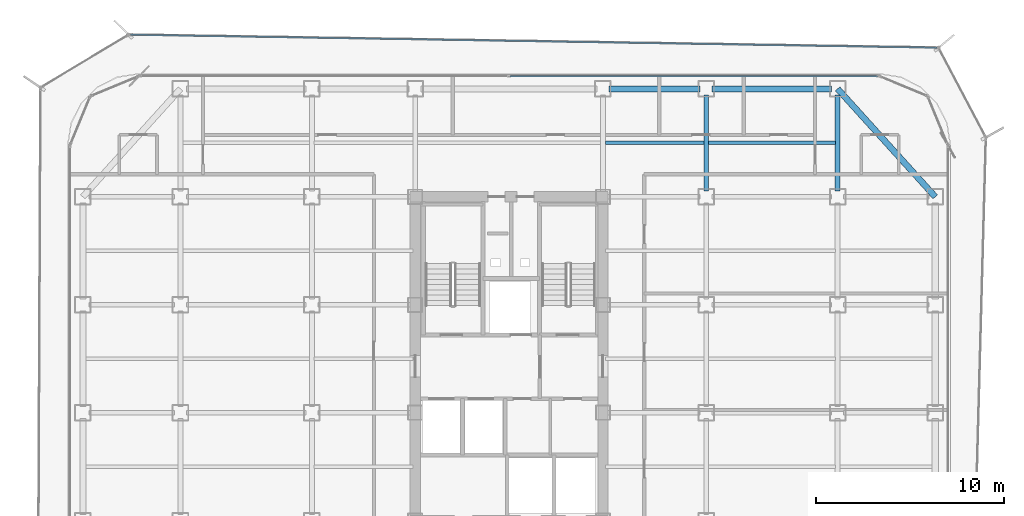
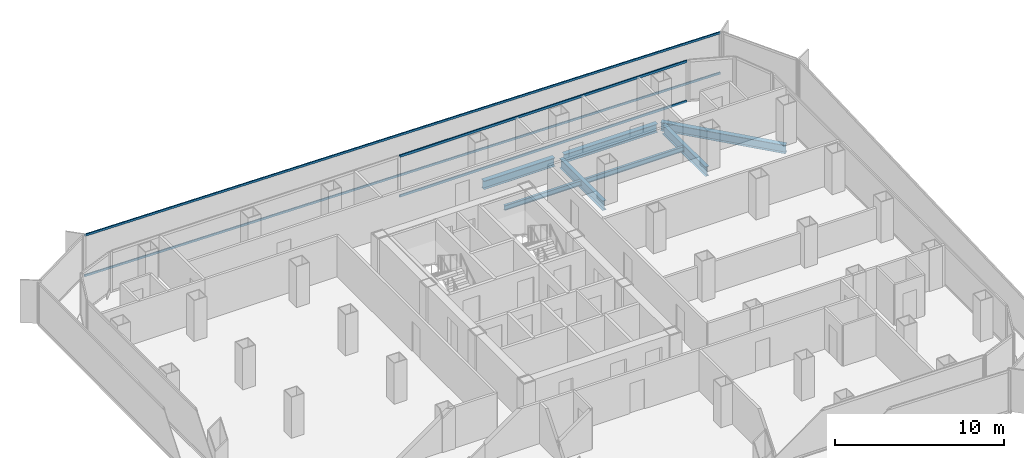
# One storey, part 13 of 21: 7 beams, 4 members, 2 elements without a shape of their own.
"""IFC4 building model written with IfcOpenShell, lengths in metres."""

from ifc_helpers import new_model, si_unit, direction, frame, origin, origin_2d, place, context, subcontext, project, spatial, hollow_rectangle, i_section, extrude, source, transform, mapped, material, layer, layer_set, material_profile, profile_set, type_object, element, aggregate, save


model = new_model("IFC4")

# Units and contexts
model_context = context("Model", 3, precision=1e-05, world=origin(), true_north=direction((0.0, 1.0)))
body_context = subcontext(model_context, "Body", "Model", "MODEL_VIEW")
ifc_project = project(units=[si_unit("LENGTHUNIT", "METRE"), si_unit("AREAUNIT", "SQUARE_METRE"), si_unit("VOLUMEUNIT", "CUBIC_METRE"), si_unit("PLANEANGLEUNIT", "RADIAN"), si_unit("MASSUNIT", "GRAM", prefix="KILO")], contexts=[model_context])

# Site, building, storey
site_placement = place(None, origin())
site = spatial("IfcSite", under=ifc_project, at=site_placement, CompositionType="ELEMENT")
building_placement = place(site_placement, origin())
building = spatial("IfcBuilding", under=site, at=building_placement, Name="Kolveth Station Tower", CompositionType="ELEMENT")
storey_placement = place(building_placement, frame((0.0, 0.0, 118.300048828125)))
storey = spatial("IfcBuildingStorey", under=building, at=storey_placement, Name="L32", CompositionType="ELEMENT", Elevation=118.300048828125)

# Beams
ifc_material_1 = material(Name="Steel S355", Category="steel")
ifc_material_profile_1 = material_profile(ifc_material_1, i_section(OverallWidth=0.323974609375, OverallDepth=0.611083984375, WebThickness=0.0126953125, FlangeThickness=0.01904296875, at=origin_2d()), Name="W610x155")
ifc_profile_set_1 = profile_set([ifc_material_profile_1], Name="Steel S355")
beam_type_1 = type_object("IfcBeamType", Name="Beam_SP2", PredefinedType="SPANDREL", material=ifc_profile_set_1)
shared_shape_1 = source(origin(), body_context, "Body", "SweptSolid", [
    extrude(i_section(OverallWidth=0.323974609375, OverallDepth=0.611083984375, WebThickness=0.0126953125, FlangeThickness=0.01904296875, at=origin_2d()), origin(), (0.0, 0.0, 1.0), 6.35986328125),
])
beam_1_placement = place(storey_placement, frame((34.320068359375, 34.5, -0.5556640625), z_axis=(1.0, 0.0, 0.0), x_axis=(0.0, 1.0, 0.0)))
element("IfcBeam", 1, at=beam_1_placement, inside=storey, type_object=beam_type_1, Name="L32 Perimeter Spandrel BM-L32-PN-5", PredefinedType="SPANDREL", context=body_context, shape_type="MappedRepresentation", body=[
    mapped(shared_shape_1, transform((0.0, 0.0, 0.0), x_axis=(1.0, 0.0, 0.0), y_axis=(0.0, 1.0, 0.0), z_axis=(0.0, 0.0, 1.0), scale=1.0)),
])
shared_shape_2 = source(origin(), body_context, "Body", "SweptSolid", [
    extrude(i_section(OverallWidth=0.323974609375, OverallDepth=0.611083984375, WebThickness=0.0126953125, FlangeThickness=0.01904296875, at=origin_2d()), origin(), (0.0, 0.0, 1.0), 4.85986328125),
])
beam_2_placement = place(storey_placement, frame((28.820068359375, 34.5, -0.5556640625), z_axis=(1.0, 0.0, 0.0), x_axis=(0.0, 1.0, 0.0)))
element("IfcBeam", 2, at=beam_2_placement, inside=storey, type_object=beam_type_1, Name="L32 Perimeter Spandrel BM-L32-PN-4", PredefinedType="SPANDREL", context=body_context, shape_type="MappedRepresentation", body=[
    mapped(shared_shape_2, transform((0.0, 0.0, 0.0), x_axis=(1.0, 0.0, 0.0), y_axis=(0.0, 1.0, 0.0), z_axis=(0.0, 0.0, 1.0), scale=1.0)),
])
shared_shape_3 = source(origin(), body_context, "Body", "SweptSolid", [
    extrude(i_section(OverallWidth=0.323974609375, OverallDepth=0.611083984375, WebThickness=0.0126953125, FlangeThickness=0.01904296875, at=origin_2d()), origin(), (0.0, 0.0, 1.0), 7.75244140625),
])
beam_3_placement = place(storey_placement, frame((46.199951171875, 28.75, -0.5556640625), z_axis=(-0.670740965555, 0.74169168603, 0.0), x_axis=(-0.74169168603, -0.670740965555, 0.0)))
element("IfcBeam", 3, at=beam_3_placement, inside=storey, type_object=beam_type_1, Name="L32 Corner Edge Girder BM-L32-CNR-NE", PredefinedType="SPANDREL", context=body_context, shape_type="MappedRepresentation", body=[
    mapped(shared_shape_3, transform((0.0, 0.0, 0.0), x_axis=(1.0, 0.0, 0.0), y_axis=(0.0, 1.0, 0.0), z_axis=(0.0, 0.0, 1.0), scale=1.0)),
])
ifc_material_profile_2 = material_profile(ifc_material_1, i_section(OverallWidth=0.25390625, OverallDepth=0.68798828125, WebThickness=0.01318359375, FlangeThickness=0.02099609375, at=origin_2d()), Name="W690x152")
ifc_profile_set_2 = profile_set([ifc_material_profile_2], Name="Steel S355")
beam_type_2 = type_object("IfcBeamType", Name="Beam_B4", PredefinedType="BEAM", material=ifc_profile_set_2)
shared_shape_4 = source(origin(), body_context, "Body", "SweptSolid", [
    extrude(i_section(OverallWidth=0.25390625, OverallDepth=0.68798828125, WebThickness=0.01318359375, FlangeThickness=0.02099609375, at=origin_2d()), origin(), (0.0, 0.0, 1.0), 5.10986328125),
])
for number, where, z_axis, x_axis, name in (
    (4, (34.0, 29.070068359375, -0.593994140625), (0.0, 1.0, 0.0), (-1.0, 0.0, 0.0), "L32 Primary Girder BM-L32-GX340-6"),
    (5, (41.0, 29.070068359375, -0.593994140625), (0.0, 1.0, 0.0), (-1.0, 0.0, 0.0), "L32 Primary Girder BM-L32-GX410-6"),
):
    element("IfcBeam", number, at=place(storey_placement, frame(where, z_axis=z_axis, x_axis=x_axis)), inside=storey, type_object=beam_type_2, Name=name, PredefinedType="BEAM", context=body_context, shape_type="MappedRepresentation", body=[
        mapped(shared_shape_4, transform((0.0, 0.0, 0.0), x_axis=(1.0, 0.0, 0.0), y_axis=(0.0, 1.0, 0.0), z_axis=(0.0, 0.0, 1.0), scale=1.0)),
    ])
ifc_material_profile_3 = material_profile(ifc_material_1, i_section(OverallWidth=0.1708984375, OverallDepth=0.35205078125, WebThickness=0.0068359375, FlangeThickness=0.009765625, at=origin_2d()), Name="W360x44")
ifc_profile_set_3 = profile_set([ifc_material_profile_3], Name="Steel S355")
beam_type_3 = type_object("IfcBeamType", Name="Beam_J2", PredefinedType="JOIST", material=ifc_profile_set_3)
shared_shape_5 = source(origin(), body_context, "Body", "SweptSolid", [
    extrude(i_section(OverallWidth=0.1708984375, OverallDepth=0.35205078125, WebThickness=0.0068359375, FlangeThickness=0.009765625, at=origin_2d()), origin(), (0.0, 0.0, 1.0), 6.75),
])
beam_4_placement = place(storey_placement, frame((34.125, 31.625, -0.426025390625), z_axis=(1.0, 0.0, 0.0), x_axis=(0.0, 1.0, 0.0)))
element("IfcBeam", 6, at=beam_4_placement, inside=storey, type_object=beam_type_3, Name="L32 Secondary Joist JST-L32-6-6", PredefinedType="JOIST", context=body_context, shape_type="MappedRepresentation", body=[
    mapped(shared_shape_5, transform((0.0, 0.0, 0.0), x_axis=(1.0, 0.0, 0.0), y_axis=(0.0, 1.0, 0.0), z_axis=(0.0, 0.0, 1.0), scale=1.0)),
])
shared_shape_6 = source(origin(), body_context, "Body", "SweptSolid", [
    extrude(i_section(OverallWidth=0.1708984375, OverallDepth=0.35205078125, WebThickness=0.0068359375, FlangeThickness=0.009765625, at=origin_2d()), origin(), (0.0, 0.0, 1.0), 5.25),
])
beam_5_placement = place(storey_placement, frame((28.625, 31.625, -0.426025390625), z_axis=(1.0, 0.0, 0.0), x_axis=(0.0, 1.0, 0.0)))
element("IfcBeam", 7, at=beam_5_placement, inside=storey, type_object=beam_type_3, Name="L32 Secondary Joist JST-L32-5-6", PredefinedType="JOIST", context=body_context, shape_type="MappedRepresentation", body=[
    mapped(shared_shape_6, transform((0.0, 0.0, 0.0), x_axis=(1.0, 0.0, 0.0), y_axis=(0.0, 1.0, 0.0), z_axis=(0.0, 0.0, 1.0), scale=1.0)),
])

# Curtain wall, members
ifc_material_2 = material(Name="Aluminium 6063-T6 and low-E dark glass", Category="aluminium")
ifc_layer_1 = layer(ifc_material_2, 0.18994140625)
ifc_layer_set_1 = layer_set([ifc_layer_1], Name="Aluminium 6063-T6 and low-E dark glass")
curtain_wall_type_1 = type_object("IfcCurtainWallType", Name="CurtainWall_CW-Z2", PredefinedType="NOTDEFINED", material=ifc_layer_set_1)
curtain_wall_1_placement = place(storey_placement, origin())
curtain_wall_1 = element("IfcCurtainWall", 8, at=curtain_wall_1_placement, inside=storey, type_object=curtain_wall_type_1, Name="L32 Inner Thermal Curtain Wall 6", PredefinedType="NOTDEFINED")
ifc_material_3 = material(Name="Black anodized aluminium 6063-T6", Category="aluminium")
ifc_material_profile_4 = material_profile(ifc_material_3, hollow_rectangle(XDim=0.080078125, YDim=0.169921875, WallThickness=0.0048828125, at=origin_2d()), Name="ALU-80x170x5")
ifc_profile_set_4 = profile_set([ifc_material_profile_4], Name="Black anodized aluminium 6063-T6")
member_type_1 = type_object("IfcMemberType", Name="Transom_TR2", PredefinedType="USERDEFINED", material=ifc_profile_set_4)
shared_shape_7 = source(origin(), body_context, "Body", "SweptSolid", [
    extrude(hollow_rectangle(XDim=0.080078125, YDim=0.169921875, WallThickness=0.0048828125, at=origin_2d()), origin(), (0.0, 0.0, 1.0), 19.580078125),
])
member_1_placement = place(storey_placement, frame((43.1201171875, 35.179931640625, 0.0400390625), z_axis=(-1.0, 0.0, 0.0), x_axis=(0.0, -1.0, 0.0)))
member_1 = element("IfcMember", 9, at=member_1_placement, type_object=member_type_1, Name="CW-Z2 transom 1.1", ObjectType="TRANSOM", PredefinedType="USERDEFINED", context=body_context, shape_type="MappedRepresentation", body=[
    mapped(shared_shape_7, transform((0.0, 0.0, 0.0), x_axis=(1.0, 0.0, 0.0), y_axis=(0.0, 1.0, 0.0), z_axis=(0.0, 0.0, 1.0), scale=1.0)),
])
member_2_placement = place(storey_placement, frame((43.1201171875, 35.179931640625, 2.909912109375), z_axis=(-1.0, 0.0, 0.0), x_axis=(0.0, -1.0, 0.0)))
member_2 = element("IfcMember", 10, at=member_2_placement, type_object=member_type_1, Name="CW-Z2 transom 1.2", ObjectType="TRANSOM", PredefinedType="USERDEFINED", context=body_context, shape_type="MappedRepresentation", body=[
    mapped(shared_shape_7, transform((0.0, 0.0, 0.0), x_axis=(1.0, 0.0, 0.0), y_axis=(0.0, 1.0, 0.0), z_axis=(0.0, 0.0, 1.0), scale=1.0)),
])
aggregate(curtain_wall_1, [member_1, member_2])

ifc_material_4 = material(Name="Black anodized aluminium 6063-T6 and dark solar glass", Category="aluminium")
ifc_layer_2 = layer(ifc_material_4, 0.159912109375)
ifc_layer_set_2 = layer_set([ifc_layer_2], Name="Black anodized aluminium 6063-T6 and dark solar glass")
curtain_wall_type_2 = type_object("IfcCurtainWallType", Name="OUTER SKIN CW-OS", PredefinedType="NOTDEFINED", material=ifc_layer_set_2)
curtain_wall_2_placement = place(storey_placement, origin())
curtain_wall_2 = element("IfcCurtainWall", 11, at=curtain_wall_2_placement, inside=storey, type_object=curtain_wall_type_2, Name="L32 Outer Ventilated Skin Curtain Wall 4", PredefinedType="NOTDEFINED")
ifc_material_profile_5 = material_profile(ifc_material_3, hollow_rectangle(XDim=0.080078125, YDim=0.14990234375, WallThickness=0.0048828125, at=origin_2d()), Name="ALU-80x150x5")
ifc_profile_set_5 = profile_set([ifc_material_profile_5], Name="Black anodized aluminium 6063-T6")
member_type_2 = type_object("IfcMemberType", Name="Transom_TR-OS", PredefinedType="USERDEFINED", material=ifc_profile_set_5)
shared_shape_8 = source(origin(), body_context, "Body", "SweptSolid", [
    extrude(hollow_rectangle(XDim=0.080078125, YDim=0.14990234375, WallThickness=0.0048828125, at=origin_2d()), origin(), (0.0, 0.0, 1.0), 42.957763671875),
])
member_3_placement = place(storey_placement, frame((46.28662109375, 36.6923828125, 0.0400390625), z_axis=(-0.999870740638, 0.016077997893, 0.0), x_axis=(-0.016077997893, -0.999870740638, 0.0)))
member_3 = element("IfcMember", 12, at=member_3_placement, type_object=member_type_2, Name="CW-OS transom 1.1", ObjectType="TRANSOM", PredefinedType="USERDEFINED", context=body_context, shape_type="MappedRepresentation", body=[
    mapped(shared_shape_8, transform((0.0, 0.0, 0.0), x_axis=(1.0, 0.0, 0.0), y_axis=(0.0, 1.0, 0.0), z_axis=(0.0, 0.0, 1.0), scale=1.0)),
])
member_4_placement = place(storey_placement, frame((46.28662109375, 36.6923828125, 2.949951171875), z_axis=(-0.999870740638, 0.016077997893, 0.0), x_axis=(-0.016077997893, -0.999870740638, 0.0)))
member_4 = element("IfcMember", 13, at=member_4_placement, type_object=member_type_2, Name="CW-OS transom 1.2", ObjectType="TRANSOM", PredefinedType="USERDEFINED", context=body_context, shape_type="MappedRepresentation", body=[
    mapped(shared_shape_8, transform((0.0, 0.0, 0.0), x_axis=(1.0, 0.0, 0.0), y_axis=(0.0, 1.0, 0.0), z_axis=(0.0, 0.0, 1.0), scale=1.0)),
])
aggregate(curtain_wall_2, [member_3, member_4])

save(model, "model.ifc")
